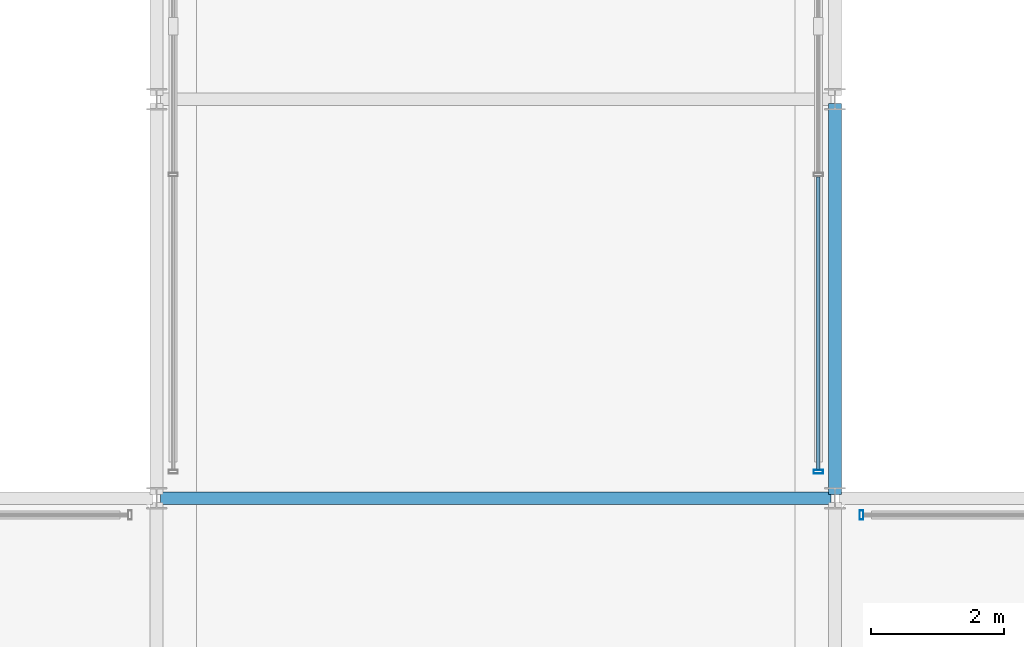
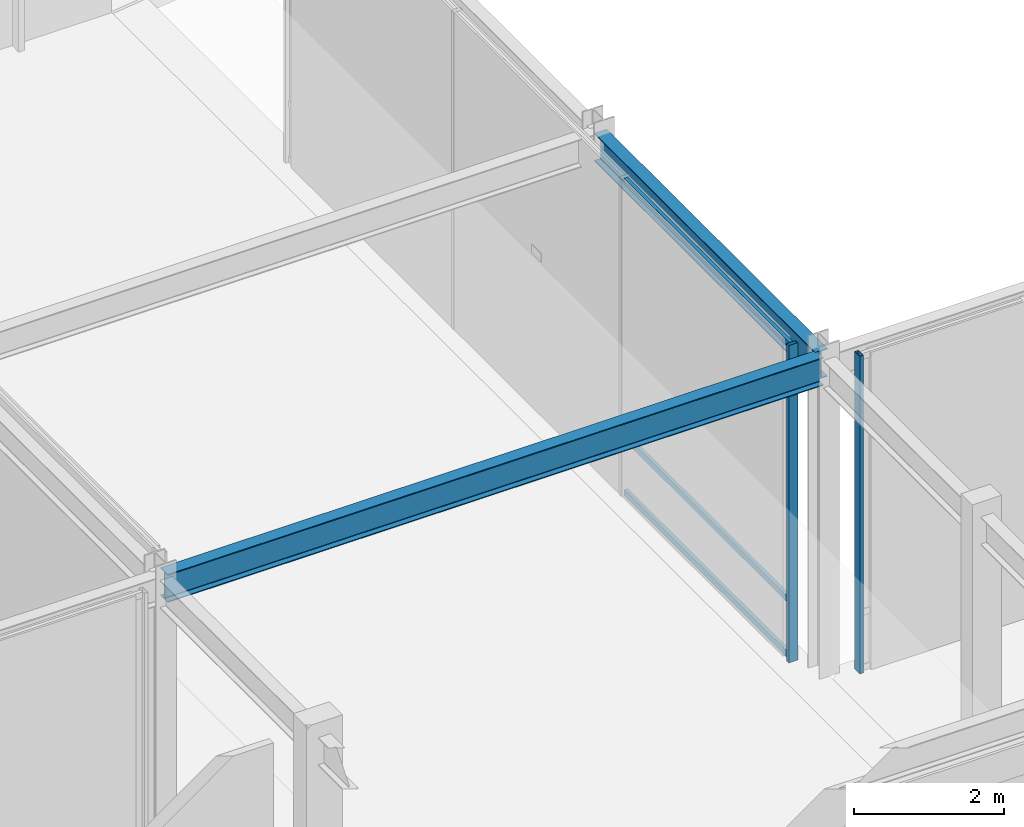
# One storey, part 30 of 157: 5 members, 2 beams, 2 elements without a shape of their own.
"""IFC4 building model written with IfcOpenShell, lengths in metres."""

from ifc_helpers import new_model, si_unit, direction, frame, origin, origin_2d, place, context, subcontext, project, spatial, hollow_rectangle, i_section, extrude, material, material_profile, profile_set, type_object, element, aggregate, save


model = new_model("IFC4")

# Units and contexts
model_context = context("Model", 3, precision=1e-05, world=origin(), true_north=direction((0.0, 1.0)))
body_context = subcontext(model_context, "Body", "Model", "MODEL_VIEW")
ifc_project = project(units=[si_unit("LENGTHUNIT", "METRE"), si_unit("AREAUNIT", "SQUARE_METRE"), si_unit("VOLUMEUNIT", "CUBIC_METRE"), si_unit("PLANEANGLEUNIT", "RADIAN"), si_unit("MASSUNIT", "GRAM", prefix="KILO"), si_unit("THERMODYNAMICTEMPERATUREUNIT", "KELVIN"), si_unit("POWERUNIT", "WATT")], contexts=[model_context])

# Site, building, storey
site_placement = place(None, origin())
site = spatial("IfcSite", under=ifc_project, at=site_placement, CompositionType="ELEMENT")
building_placement = place(site_placement, origin())
building = spatial("IfcBuilding", under=site, at=building_placement, Name="Darbajah Civic Hall", CompositionType="ELEMENT")
storey_placement = place(building_placement, origin())
storey = spatial("IfcBuildingStorey", under=building, at=storey_placement, Name="L00", CompositionType="ELEMENT", Elevation=0.0)

# Curtain wall, member
ifc_material_1 = material(Name="Anodised Bronze Aluminium and Low-E Glazing", Category="aluminium")
curtain_wall_type_1 = type_object("IfcCurtainWallType", Name="Unitised Curtain Wall CW-101 7600x5150", PredefinedType="USERDEFINED", material=ifc_material_1)
curtain_wall_1_placement = place(storey_placement, origin())
curtain_wall_1 = element("IfcCurtainWall", 1, at=curtain_wall_1_placement, inside=storey, type_object=curtain_wall_type_1, Name="L00 unitised curtain wall CW-V6-SE-N-L00", ObjectType="UNITISED CURTAIN WALL", PredefinedType="USERDEFINED")
ifc_material_2 = material(Name="Anodised Bronze Aluminium", Category="aluminium")
ifc_material_profile_1 = material_profile(ifc_material_2, hollow_rectangle(XDim=0.054931640625, YDim=0.139892578125, WallThickness=0.003173828125, at=origin_2d()), Name="ALU MULLION 55x140")
ifc_profile_set_1 = profile_set([ifc_material_profile_1], Name="Anodised Bronze Aluminium")
member_type_1 = type_object("IfcMemberType", Name="ALU MULLION 55x140", PredefinedType="MULLION", material=ifc_profile_set_1)
member_1_placement = place(storey_placement, frame((94.60009765625, 41.75, 0.0), z_axis=(0.0, 0.0, 1.0), x_axis=(1.0, 0.0, 0.0)))
member_1 = element("IfcMember", 2, at=member_1_placement, type_object=member_type_1, Name="CW-V6-SE-N-L00 mullion 1", PredefinedType="MULLION", context=body_context, shape_type="SweptSolid", body=[
    extrude(hollow_rectangle(XDim=0.054931640625, YDim=0.139892578125, WallThickness=0.003173828125, at=origin_2d()), origin(), (0.0, 0.0, 1.0), 5.159912109375),
])
aggregate(curtain_wall_1, [member_1])

# Curtain wall, members
curtain_wall_type_2 = type_object("IfcCurtainWallType", Name="Unitised Curtain Wall CW-102 13400x5150", PredefinedType="USERDEFINED", material=ifc_material_1)
curtain_wall_2_placement = place(storey_placement, origin())
curtain_wall_2 = element("IfcCurtainWall", 3, at=curtain_wall_2_placement, inside=storey, type_object=curtain_wall_type_2, Name="L00 unitised curtain wall CW-V6-PE-L00", ObjectType="UNITISED CURTAIN WALL", PredefinedType="USERDEFINED")
member_2_placement = place(storey_placement, frame((93.949951171875, 42.39990234375, 0.0), z_axis=(0.0, 0.0, 1.0), x_axis=(0.0, 1.0, 0.0)))
member_2 = element("IfcMember", 4, at=member_2_placement, type_object=member_type_1, Name="CW-V6-PE-L00 mullion 1", PredefinedType="MULLION", context=body_context, shape_type="SweptSolid", body=[
    extrude(hollow_rectangle(XDim=0.054931640625, YDim=0.139892578125, WallThickness=0.003173828125, at=origin_2d()), origin(), (0.0, 0.0, 1.0), 5.159912109375),
])
ifc_material_profile_2 = material_profile(ifc_material_2, hollow_rectangle(XDim=0.054931640625, YDim=0.10009765625, WallThickness=0.0029296875, at=origin_2d()), Name="ALU TRANSOM 55x100")
ifc_profile_set_2 = profile_set([ifc_material_profile_2], Name="Anodised Bronze Aluminium")
member_type_2 = type_object("IfcMemberType", Name="ALU TRANSOM 55x100", PredefinedType="USERDEFINED", material=ifc_profile_set_2)
member_3_placement = place(storey_placement, frame((93.949951171875, 42.4326171875, 0.050048828125), z_axis=(0.0, 1.0, 0.0), x_axis=(-1.0, 0.0, 0.0)))
member_3 = element("IfcMember", 5, at=member_3_placement, type_object=member_type_2, Name="CW-V6-PE-L00 transom 1.1", ObjectType="TRANSOM", PredefinedType="USERDEFINED", context=body_context, shape_type="SweptSolid", body=[
    extrude(hollow_rectangle(XDim=0.054931640625, YDim=0.10009765625, WallThickness=0.0029296875, at=origin_2d()), origin(), (0.0, 0.0, 1.0), 4.401611328125),
])
member_4_placement = place(storey_placement, frame((93.949951171875, 42.4326171875, 0.949951171875), z_axis=(0.0, 1.0, 0.0), x_axis=(-1.0, 0.0, 0.0)))
member_4 = element("IfcMember", 6, at=member_4_placement, type_object=member_type_2, Name="CW-V6-PE-L00 transom 1.2", ObjectType="TRANSOM", PredefinedType="USERDEFINED", context=body_context, shape_type="SweptSolid", body=[
    extrude(hollow_rectangle(XDim=0.054931640625, YDim=0.10009765625, WallThickness=0.0029296875, at=origin_2d()), origin(), (0.0, 0.0, 1.0), 4.401611328125),
])
member_5_placement = place(storey_placement, frame((93.949951171875, 42.4326171875, 5.110107421875), z_axis=(0.0, 1.0, 0.0), x_axis=(-1.0, 0.0, 0.0)))
member_5 = element("IfcMember", 7, at=member_5_placement, type_object=member_type_2, Name="CW-V6-PE-L00 transom 1.3", ObjectType="TRANSOM", PredefinedType="USERDEFINED", context=body_context, shape_type="SweptSolid", body=[
    extrude(hollow_rectangle(XDim=0.054931640625, YDim=0.10009765625, WallThickness=0.0029296875, at=origin_2d()), origin(), (0.0, 0.0, 1.0), 4.401611328125),
])
aggregate(curtain_wall_2, [member_2, member_3, member_4, member_5])

# Beams
ifc_material_3 = material(Name="Steel S355JR", Category="steel")
ifc_material_profile_3 = material_profile(ifc_material_3, i_section(OverallWidth=0.1904296875, OverallDepth=0.45703125, WebThickness=0.009033203125, FlangeThickness=0.014404296875, FilletRadius=0.01025390625, at=origin_2d()), Name="UB 457x191x74")
ifc_profile_set_3 = profile_set([ifc_material_profile_3], Name="Steel S355JR")
beam_type = type_object("IfcBeamType", Name="UB 457x191x74", PredefinedType="BEAM", material=ifc_profile_set_3)
beam_1_placement = place(storey_placement, frame((84.06005859375, 42.0, 4.931396484375), z_axis=(1.0, 0.0, 0.0), x_axis=(0.0, 1.0, 0.0)))
element("IfcBeam", 8, at=beam_1_placement, inside=storey, type_object=beam_type, Name="L00 beam SB-457", PredefinedType="BEAM", context=body_context, shape_type="SweptSolid", body=[
    extrude(i_section(OverallWidth=0.1904296875, OverallDepth=0.45703125, WebThickness=0.009033203125, FlangeThickness=0.014404296875, FilletRadius=0.01025390625, at=origin_2d()), origin(), (0.0, 0.0, 1.0), 10.079833984375),
])
beam_2_placement = place(storey_placement, frame((94.199951171875, 42.06005859375, 4.931396484375), z_axis=(0.0, 1.0, 0.0), x_axis=(-1.0, 0.0, 0.0)))
element("IfcBeam", 9, at=beam_2_placement, inside=storey, type_object=beam_type, Name="L00 beam SB-457", PredefinedType="BEAM", context=body_context, shape_type="SweptSolid", body=[
    extrude(i_section(OverallWidth=0.1904296875, OverallDepth=0.45703125, WebThickness=0.009033203125, FlangeThickness=0.014404296875, FilletRadius=0.01025390625, at=origin_2d()), origin(), (0.0, 0.0, 1.0), 5.8798828125),
])

save(model, "model.ifc")
